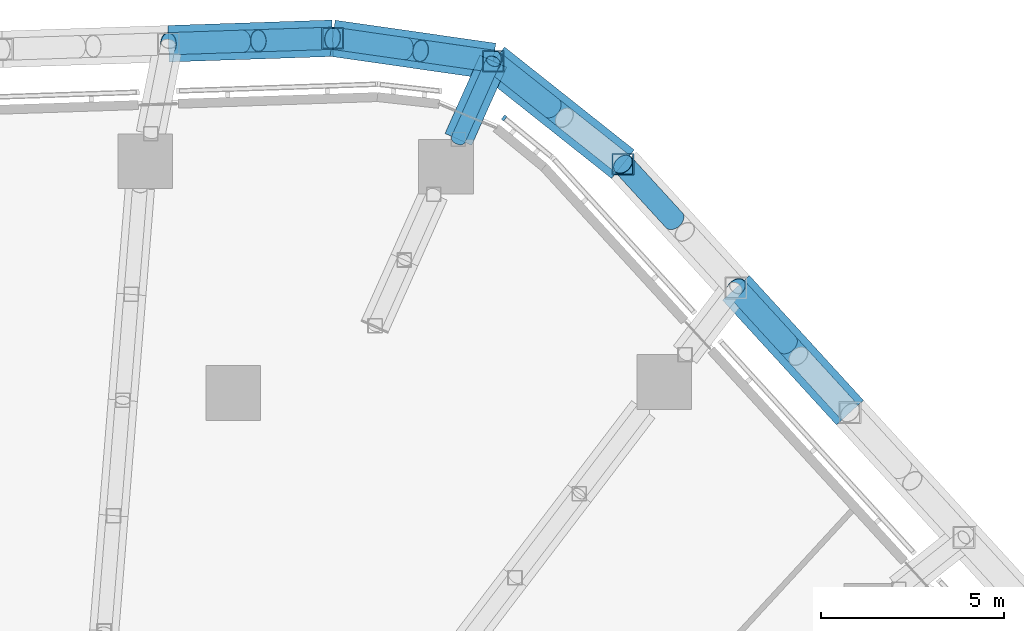
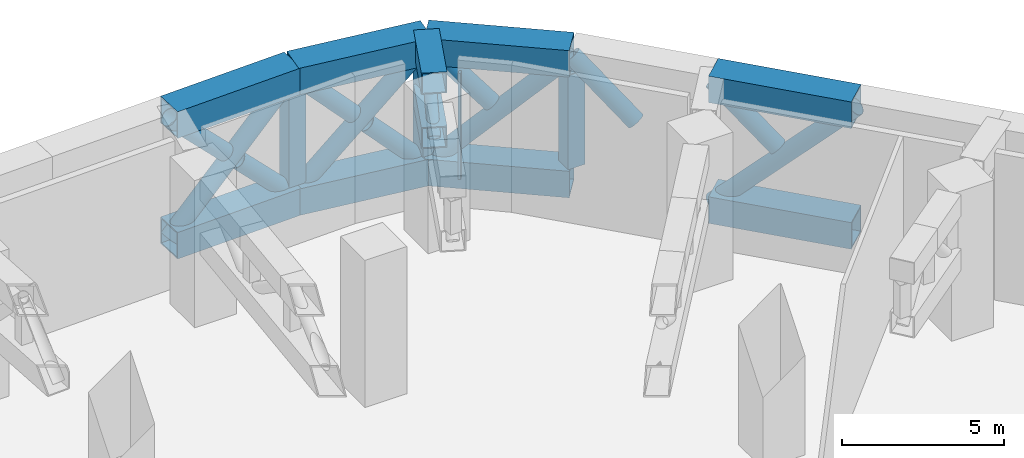
# One storey, part 15 of 38: 26 members, 1 element without a shape of its own.
"""IFC4 building model written with IfcOpenShell, lengths in metres."""

from ifc_helpers import new_model, si_unit, direction, frame, origin, origin_2d, place, context, subcontext, project, spatial, rectangle, hollow_rectangle, hollow_circle, extrude, material, layer, layer_set, material_profile, profile_set, type_object, element, aggregate, save


model = new_model("IFC4")

# Units and contexts
model_context = context("Model", 3, precision=1e-05, world=origin(), true_north=direction((0.0, 1.0)))
body_context = subcontext(model_context, "Body", "Model", "MODEL_VIEW")
ifc_project = project(units=[si_unit("LENGTHUNIT", "METRE"), si_unit("AREAUNIT", "SQUARE_METRE"), si_unit("VOLUMEUNIT", "CUBIC_METRE"), si_unit("PLANEANGLEUNIT", "RADIAN"), si_unit("MASSUNIT", "GRAM", prefix="KILO")], contexts=[model_context])

# Site, building, storey
site_placement = place(None, origin())
site = spatial("IfcSite", under=ifc_project, at=site_placement, CompositionType="ELEMENT")
building_placement = place(site_placement, origin())
building = spatial("IfcBuilding", under=site, at=building_placement, Name="Dongbaek Canopy Tower", CompositionType="ELEMENT")
storey_placement = place(building_placement, frame((0.0, 0.0, 89.199951171875)))
storey = spatial("IfcBuildingStorey", under=building, at=storey_placement, Name="L18", CompositionType="ELEMENT", Elevation=89.199951171875)

# Members
ifc_material_1 = material(Name="Steel S355", Category="steel")
ifc_material_profile_1 = material_profile(ifc_material_1, hollow_circle(Radius=0.304931640625, WallThickness=0.01611328125, at=origin_2d()), Name="BELT BRACE CHS 610.0x16.0 Steel S355")
ifc_profile_set_1 = profile_set([ifc_material_profile_1], Name="Steel S355")
member_type_1 = type_object("IfcMemberType", Name="BELT BRACE CHS 610.0x16.0 Steel S355", PredefinedType="BRACE", material=ifc_profile_set_1)
member_1_placement = place(storey_placement, frame((7.224609375, 36.566162109375, 0.5), z_axis=(0.702759865068, 0.023501632838, 0.711038849363), x_axis=(-0.033423226565, 0.999441287883, 0.0)))
element("IfcMember", 1, at=member_1_placement, inside=storey, type_object=member_type_1, Name="BELT:L18:16:D0:0", PredefinedType="BRACE", context=body_context, shape_type="SweptSolid", body=[
    extrude(hollow_circle(Radius=0.304931640625, WallThickness=0.01611328125, at=origin_2d()), origin(), (0.0, 0.0, 1.0), 6.399169921875),
])
for number, where, z_axis, x_axis, name in (
    (2, (11.7216796875, 36.716552734375, 0.5), (-0.702765959261, -0.023532369495, 0.711031809478), (0.03346660038, -0.999439836438, 0.0), "BELT:L18:16:D0:1"),
    (3, (7.224609375, 36.566162109375, 5.050048828125), (0.702765959261, 0.023532369495, -0.711031809478), (-0.03346660038, 0.999439836438, 0.0), "BELT:L18:16:D0:2"),
):
    element("IfcMember", number, at=place(storey_placement, frame(where, z_axis=z_axis, x_axis=x_axis)), inside=storey, type_object=member_type_1, Name=name, PredefinedType="BRACE", context=body_context, shape_type="SweptSolid", body=[
        extrude(hollow_circle(Radius=0.304931640625, WallThickness=0.01611328125, at=origin_2d()), origin(), (0.0, 0.0, 1.0), 2.89453125),
    ])
member_2_placement = place(storey_placement, frame((11.7216796875, 36.716552734375, 0.5), z_axis=(0.691711136628, -0.099292903699, 0.715315750379), x_axis=(0.142090307302, 0.989853698569, 0.0)))
element("IfcMember", 4, at=member_2_placement, inside=storey, type_object=member_type_1, Name="BELT:L18:16:D1:0", PredefinedType="BRACE", context=body_context, shape_type="SweptSolid", body=[
    extrude(hollow_circle(Radius=0.304931640625, WallThickness=0.01611328125, at=origin_2d()), origin(), (0.0, 0.0, 1.0), 6.36083984375),
])
member_3_placement = place(storey_placement, frame((16.12158203125, 36.0849609375, 0.5), z_axis=(-0.691664467184, 0.099342920035, 0.715353932731), x_axis=(-0.142169833911, -0.98984227952, 0.0)))
element("IfcMember", 5, at=member_3_placement, inside=storey, type_object=member_type_1, Name="BELT:L18:16:D1:1", PredefinedType="BRACE", context=body_context, shape_type="SweptSolid", body=[
    extrude(hollow_circle(Radius=0.304931640625, WallThickness=0.01611328125, at=origin_2d()), origin(), (0.0, 0.0, 1.0), 2.875244140625),
])
member_4_placement = place(storey_placement, frame((11.7216796875, 36.716552734375, 5.050048828125), z_axis=(0.691714583065, -0.099253019222, -0.715317952906), x_axis=(0.14203369, 0.989861824148, 0.0)))
element("IfcMember", 6, at=member_4_placement, inside=storey, type_object=member_type_1, Name="BELT:L18:16:D1:2", PredefinedType="BRACE", context=body_context, shape_type="SweptSolid", body=[
    extrude(hollow_circle(Radius=0.304931640625, WallThickness=0.01611328125, at=origin_2d()), origin(), (0.0, 0.0, 1.0), 2.87548828125),
])
member_5_placement = place(storey_placement, frame((16.12158203125, 36.0849609375, 0.5), z_axis=(0.553098637363, -0.43883870314, 0.708168405094), x_axis=(0.62154621525, 0.783377496682, 0.0)))
element("IfcMember", 7, at=member_5_placement, inside=storey, type_object=member_type_1, Name="BELT:L18:17:D0:0", PredefinedType="BRACE", context=body_context, shape_type="SweptSolid", body=[
    extrude(hollow_circle(Radius=0.304931640625, WallThickness=0.01611328125, at=origin_2d()), origin(), (0.0, 0.0, 1.0), 6.425048828125),
])
member_6_placement = place(storey_placement, frame((16.12158203125, 36.0849609375, 5.050048828125), z_axis=(0.553096039164, -0.438815834321, -0.708184605178), x_axis=(0.621528129287, 0.78339184608, 0.0)))
element("IfcMember", 8, at=member_6_placement, inside=storey, type_object=member_type_1, Name="BELT:L18:17:D0:2", PredefinedType="BRACE", context=body_context, shape_type="SweptSolid", body=[
    extrude(hollow_circle(Radius=0.304931640625, WallThickness=0.01611328125, at=origin_2d()), origin(), (0.0, 0.0, 1.0), 2.907470703125),
])
member_7_placement = place(storey_placement, frame((19.67529296875, 33.265380859375, 5.050048828125), z_axis=(0.479103599596, -0.524235942863, -0.704014500607), x_axis=(0.738167522248, 0.674617453894, 0.0)))
element("IfcMember", 9, at=member_7_placement, inside=storey, type_object=member_type_1, Name="BELT:L18:17:D1:2", PredefinedType="BRACE", context=body_context, shape_type="SweptSolid", body=[
    extrude(hollow_circle(Radius=0.304931640625, WallThickness=0.01611328125, at=origin_2d()), origin(), (0.0, 0.0, 1.0), 2.926513671875),
])
member_8_placement = place(storey_placement, frame((22.771728515625, 29.87744140625, 0.5), z_axis=(0.481159334957, -0.526443149488, 0.700958846682), x_axis=(0.73814060422, 0.674646906464, 0.0)))
element("IfcMember", 10, at=member_8_placement, inside=storey, type_object=member_type_1, Name="BELT:L18:18:D0:0", PredefinedType="BRACE", context=body_context, shape_type="SweptSolid", body=[
    extrude(hollow_circle(Radius=0.304931640625, WallThickness=0.01611328125, at=origin_2d()), origin(), (0.0, 0.0, 1.0), 6.4912109375),
])
member_9_placement = place(storey_placement, frame((22.771728515625, 29.87744140625, 5.050048828125), z_axis=(0.481124881077, -0.526456060554, -0.700972799126), x_axis=(0.738172900527, 0.674611568925, 0.0)))
element("IfcMember", 11, at=member_9_placement, inside=storey, type_object=member_type_1, Name="BELT:L18:18:D0:2", PredefinedType="BRACE", context=body_context, shape_type="SweptSolid", body=[
    extrude(hollow_circle(Radius=0.304931640625, WallThickness=0.01611328125, at=origin_2d()), origin(), (0.0, 0.0, 1.0), 2.940673828125),
])
ifc_material_2 = material(Name="Steel S355", Category="steel")
ifc_material_profile_2 = material_profile(ifc_material_2, hollow_rectangle(XDim=1.0, YDim=1.0, WallThickness=0.050048828125, at=origin_2d()), Name="BELT CHORD BOX 1000x1000x50 Steel S355")
ifc_profile_set_2 = profile_set([ifc_material_profile_2], Name="Steel S355")
member_type_2 = type_object("IfcMemberType", Name="BELT CHORD BOX 1000x1000x50 Steel S355", PredefinedType="CHORD", material=ifc_profile_set_2)
for number, where, z_axis, x_axis, name in (
    (12, (7.224609375, 36.566162109375, 0.5), (0.999441287883, 0.033423226565, 0.0), (-0.033423226565, 0.999441287883, 0.0), "BELT:L18:16:CB0"),
    (13, (7.224609375, 36.566162109375, 5.050048828125), (0.999441287883, 0.033423226565, 0.0), (-0.033423226565, 0.999441287883, 0.0), "BELT:L18:16:CT0"),
):
    element("IfcMember", number, at=place(storey_placement, frame(where, z_axis=z_axis, x_axis=x_axis)), inside=storey, type_object=member_type_2, Name=name, PredefinedType="CHORD", context=body_context, shape_type="SweptSolid", body=[
        extrude(hollow_rectangle(XDim=1.0, YDim=1.0, WallThickness=0.050048828125, at=origin_2d()), origin(), (0.0, 0.0, 1.0), 4.49951171875),
    ])
for number, where, z_axis, x_axis, name in (
    (14, (11.7216796875, 36.716552734375, 0.5), (0.989853698569, -0.142090307302, 0.0), (0.142090307302, 0.989853698569, 0.0), "BELT:L18:16:CB1"),
    (15, (11.7216796875, 36.716552734375, 5.050048828125), (0.989853698569, -0.142090307302, 0.0), (0.142090307302, 0.989853698569, 0.0), "BELT:L18:16:CT1"),
):
    element("IfcMember", number, at=place(storey_placement, frame(where, z_axis=z_axis, x_axis=x_axis)), inside=storey, type_object=member_type_2, Name=name, PredefinedType="CHORD", context=body_context, shape_type="SweptSolid", body=[
        extrude(hollow_rectangle(XDim=1.0, YDim=1.0, WallThickness=0.050048828125, at=origin_2d()), origin(), (0.0, 0.0, 1.0), 4.445068359375),
    ])
for number, where, z_axis, x_axis, name in (
    (16, (16.12158203125, 36.0849609375, 0.5), (0.783377496682, -0.62154621525, 0.0), (0.62154621525, 0.783377496682, 0.0), "BELT:L18:17:CB0"),
    (17, (16.12158203125, 36.0849609375, 5.050048828125), (0.783377496682, -0.62154621525, 0.0), (0.62154621525, 0.783377496682, 0.0), "BELT:L18:17:CT0"),
):
    element("IfcMember", number, at=place(storey_placement, frame(where, z_axis=z_axis, x_axis=x_axis)), inside=storey, type_object=member_type_2, Name=name, PredefinedType="CHORD", context=body_context, shape_type="SweptSolid", body=[
        extrude(hollow_rectangle(XDim=1.0, YDim=1.0, WallThickness=0.050048828125, at=origin_2d()), origin(), (0.0, 0.0, 1.0), 4.536376953125),
    ])
for number, where, z_axis, x_axis, name in (
    (18, (22.771728515625, 29.87744140625, 0.5), (0.674646906464, -0.73814060422, 0.0), (0.73814060422, 0.674646906464, 0.0), "BELT:L18:18:CB0"),
    (19, (22.771728515625, 29.87744140625, 5.050048828125), (0.674646906464, -0.73814060422, 0.0), (0.73814060422, 0.674646906464, 0.0), "BELT:L18:18:CT0"),
):
    element("IfcMember", number, at=place(storey_placement, frame(where, z_axis=z_axis, x_axis=x_axis)), inside=storey, type_object=member_type_2, Name=name, PredefinedType="CHORD", context=body_context, shape_type="SweptSolid", body=[
        extrude(hollow_rectangle(XDim=1.0, YDim=1.0, WallThickness=0.050048828125, at=origin_2d()), origin(), (0.0, 0.0, 1.0), 4.629638671875),
    ])
ifc_material_3 = material(Name="Steel S355", Category="steel")
ifc_material_profile_3 = material_profile(ifc_material_3, hollow_rectangle(XDim=0.60009765625, YDim=0.60009765625, WallThickness=0.031982421875, at=origin_2d()), Name="BELT POST BOX 600x600x32 Steel S355")
ifc_profile_set_3 = profile_set([ifc_material_profile_3], Name="Steel S355")
member_type_3 = type_object("IfcMemberType", Name="BELT POST BOX 600x600x32 Steel S355", PredefinedType="POST", material=ifc_profile_set_3)
for number, where, z_axis, x_axis, name in (
    (20, (11.7216796875, 36.716552734375, 1.0), (0.0, 0.0, 1.0), (1.0, 0.0, 0.0), "BELT:L18:16:P1"),
    (21, (16.12158203125, 36.0849609375, 1.0), (0.0, 0.0, 1.0), (1.0, 0.0, 0.0), "BELT:L18:17:P0"),
    (22, (19.67529296875, 33.265380859375, 1.0), (0.0, 0.0, 1.0), (1.0, 0.0, 0.0), "BELT:L18:17:P1"),
):
    element("IfcMember", number, at=place(storey_placement, frame(where, z_axis=z_axis, x_axis=x_axis)), inside=storey, type_object=member_type_3, Name=name, PredefinedType="POST", context=body_context, shape_type="SweptSolid", body=[
        extrude(hollow_rectangle(XDim=0.60009765625, YDim=0.60009765625, WallThickness=0.031982421875, at=origin_2d()), origin(), (0.0, 0.0, 1.0), 3.550048828125),
    ])
ifc_material_4 = material(Name="Steel S355", Category="steel")
ifc_material_profile_4 = material_profile(ifc_material_4, hollow_circle(Radius=0.203125, WallThickness=0.0126953125, at=origin_2d()), Name="BRACE CHS 406.4x12.7 Steel S355")
ifc_profile_set_4 = profile_set([ifc_material_profile_4], Name="Steel S355")
member_type_4 = type_object("IfcMemberType", Name="BRACE CHS 406.4x12.7 Steel S355", PredefinedType="BRACE", material=ifc_profile_set_4)
member_10_placement = place(storey_placement, frame((15.1650390625, 33.944091796875, 3.10009765625), z_axis=(0.30711168161, 0.687356390004, 0.658197241061), x_axis=(-0.913011185858, 0.407934522316, 0.0)))
element("IfcMember", 23, at=member_10_placement, inside=storey, type_object=member_type_4, Name="TRUSS:L18:17x:D0", PredefinedType="BRACE", context=body_context, shape_type="SweptSolid", body=[
    extrude(hollow_circle(Radius=0.203125, WallThickness=0.0126953125, at=origin_2d()), origin(), (0.0, 0.0, 1.0), 3.11474609375),
])
ifc_material_5 = material(Name="Steel S355", Category="steel")
ifc_material_profile_5 = material_profile(ifc_material_5, hollow_rectangle(XDim=0.800048828125, YDim=0.800048828125, WallThickness=0.0400390625, at=origin_2d()), Name="CHORD BOX 800x800x40 Steel S355")
ifc_profile_set_5 = profile_set([ifc_material_profile_5], Name="Steel S355")
member_type_5 = type_object("IfcMemberType", Name="CHORD BOX 800x800x40 Steel S355", PredefinedType="CHORD", material=ifc_profile_set_5)
for number, where, z_axis, x_axis, name in (
    (24, (15.1650390625, 33.944091796875, 3.10009765625), (0.407934522316, 0.913011185858, 0.0), (-0.913011185858, 0.407934522316, 0.0), "TRUSS:L18:17x:CB"),
    (25, (15.1650390625, 33.944091796875, 5.150146484375), (0.407934522316, 0.913011185858, 0.0), (-0.913011185858, 0.407934522316, 0.0), "TRUSS:L18:17x:CT0"),
):
    element("IfcMember", number, at=place(storey_placement, frame(where, z_axis=z_axis, x_axis=x_axis)), inside=storey, type_object=member_type_5, Name=name, PredefinedType="CHORD", context=body_context, shape_type="SweptSolid", body=[
        extrude(hollow_rectangle(XDim=0.800048828125, YDim=0.800048828125, WallThickness=0.0400390625, at=origin_2d()), origin(), (0.0, 0.0, 1.0), 2.3447265625),
    ])

# Curtain wall, member
ifc_material_6 = material(Name="Aluminium 6063-T6 pale anodised", Category="aluminium")
ifc_layer = layer(ifc_material_6, 0.14990234375)
ifc_layer_set = layer_set([ifc_layer], Name="CW-7 louvre curtain wall")
curtain_wall_type = type_object("IfcCurtainWallType", Name="CW-7 louvre curtain wall", PredefinedType="NOTDEFINED", material=ifc_layer_set)
curtain_wall_placement = place(storey_placement, origin())
curtain_wall = element("IfcCurtainWall", 26, at=curtain_wall_placement, inside=storey, type_object=curtain_wall_type, Name="CW-7 louvre wall L18 K1", PredefinedType="NOTDEFINED")
ifc_material_7 = material(Name="Aluminium 6063-T6 pale anodised", Category="aluminium")
ifc_material_profile_6 = material_profile(ifc_material_7, rectangle(XDim=0.14990234375, YDim=0.080078125, at=origin_2d()), Name="CW-7 mullion 80 x 150")
ifc_profile_set_6 = profile_set([ifc_material_profile_6], Name="Aluminium 6063-T6 pale anodised")
member_type_6 = type_object("IfcMemberType", Name="CW-7 mullion 80 x 150", PredefinedType="MULLION", material=ifc_profile_set_6)
member_11_placement = place(storey_placement, frame((16.419921875, 34.533447265625, 0.775146484375), z_axis=(0.0, 0.0, 1.0), x_axis=(0.633718379821, 0.773563840337, 0.0)))
member_11 = element("IfcMember", 27, at=member_11_placement, type_object=member_type_6, Name="CW-7 mullion L18 K1.1.2", PredefinedType="MULLION", context=body_context, shape_type="SweptSolid", body=[
    extrude(rectangle(XDim=0.14990234375, YDim=0.080078125, at=origin_2d()), origin(), (0.0, 0.0, 1.0), 4.0),
])
aggregate(curtain_wall, [member_11])

save(model, "model.ifc")
